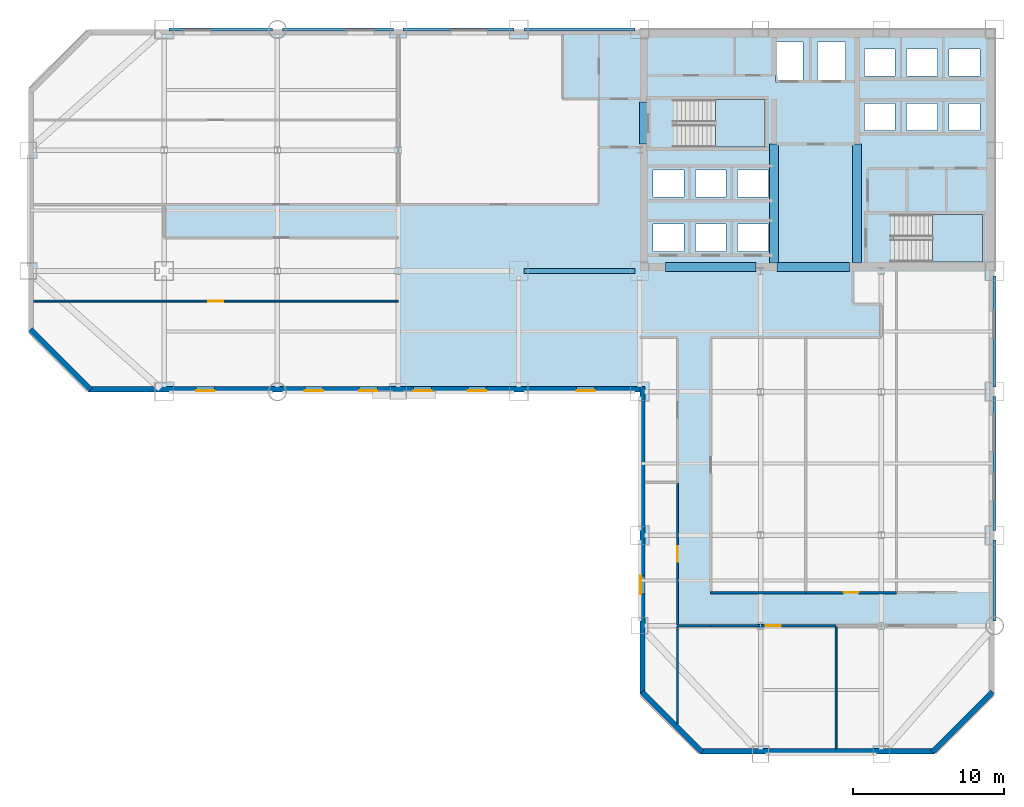
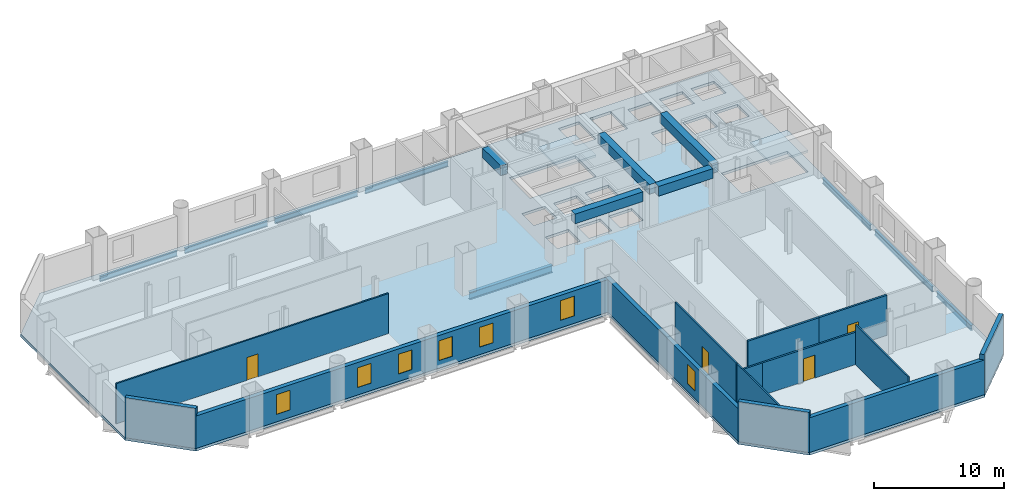
# One storey, part 4 of 9: 14 walls, 13 beams, 7 windows, 4 doors, 3 slabs, 11 openings, 2 elements without a shape of their own.
"""IFC4 building model written with IfcOpenShell, lengths in metres."""

from ifc_helpers import new_model, si_unit, direction, frame, frame_2d, origin, origin_2d, place, context, subcontext, project, spatial, polyline, rectangle, i_section, outline, extrude, material, layer, layer_set, material_profile, profile_set, type_object, element, fill, aggregate, save


model = new_model("IFC4")

# Units and contexts
model_context = context("Model", 3, precision=1e-05, world=origin(), true_north=direction((0.0, 1.0)))
body_context = subcontext(model_context, "Body", "Model", "MODEL_VIEW")
ifc_project = project(units=[si_unit("LENGTHUNIT", "METRE"), si_unit("AREAUNIT", "SQUARE_METRE"), si_unit("VOLUMEUNIT", "CUBIC_METRE"), si_unit("PLANEANGLEUNIT", "RADIAN"), si_unit("MASSUNIT", "GRAM", prefix="KILO")], contexts=[model_context])

# Site, building, storey
site_placement = place(None, origin())
site = spatial("IfcSite", under=ifc_project, at=site_placement, CompositionType="ELEMENT")
building_placement = place(site_placement, origin())
building = spatial("IfcBuilding", under=site, at=building_placement, Name="Qianrong Seaharbour Tower", CompositionType="ELEMENT")
storey_placement = place(building_placement, frame((0.0, 0.0, 76.199951171875)))
storey = spatial("IfcBuildingStorey", under=building, at=storey_placement, Name="L18", CompositionType="ELEMENT", Elevation=76.199951171875)

# Beams
ifc_material_1 = material(Name="Structural steel SN490B", Category="steel")
ifc_material_profile_1 = material_profile(ifc_material_1, i_section(OverallWidth=0.300048828125, OverallDepth=0.699951171875, WebThickness=0.012939453125, FlangeThickness=0.02392578125, FilletRadius=0.02587890625, at=origin_2d()), Name="H700x300x13x24")
ifc_profile_set_1 = profile_set([ifc_material_profile_1], Name="Structural steel SN490B")
beam_type_1 = type_object("IfcBeamType", Name="BM-G-700", PredefinedType="BEAM", material=ifc_profile_set_1)
beam_1_placement = place(storey_placement, frame((32.820068359375, 36.0, -0.599853515625), z_axis=(1.0, 0.0, 0.0), x_axis=(0.0, 1.0, 0.0)))
element("IfcBeam", 1, at=beam_1_placement, inside=storey, type_object=beam_type_1, Name="L18 Primary Girder GF G5-G6", PredefinedType="BEAM", context=body_context, shape_type="SweptSolid", body=[
    extrude(i_section(OverallWidth=0.300048828125, OverallDepth=0.699951171875, WebThickness=0.012939453125, FlangeThickness=0.02392578125, FilletRadius=0.02587890625, at=origin_2d()), origin(), (0.0, 0.0, 1.0), 7.35986328125),
])
ifc_material_2 = material(Name="Concrete C70/85", Category="concrete")
ifc_material_profile_2 = material_profile(ifc_material_2, rectangle(XDim=0.60009765625, YDim=0.89990234375, at=origin_2d()), Name="RC600x900")
ifc_profile_set_2 = profile_set([ifc_material_profile_2], Name="Concrete C70/85")
beam_type_2 = type_object("IfcBeamType", Name="BM-LINTEL-900", PredefinedType="LINTEL", material=ifc_profile_set_2)
beam_2_placement = place(storey_placement, frame((40.77001953125, 44.39990234375, 3.300048828125), z_axis=(0.0, 1.0, 0.0), x_axis=(-1.0, 0.0, 0.0)))
element("IfcBeam", 2, at=beam_2_placement, inside=storey, type_object=beam_type_2, Name="L18 Core Coupling Lintel Beam West", PredefinedType="LINTEL", context=body_context, shape_type="SweptSolid", body=[
    extrude(rectangle(XDim=0.60009765625, YDim=0.89990234375, at=origin_2d()), origin(), (0.0, 0.0, 1.0), 2.800048828125),
])
beam_3_placement = place(storey_placement, frame((42.199951171875, 36.27001953125, 3.300048828125), z_axis=(1.0, 0.0, 0.0), x_axis=(0.0, 1.0, 0.0)))
element("IfcBeam", 3, at=beam_3_placement, inside=storey, type_object=beam_type_2, Name="L18 Core Coupling Lintel Beam CBW", PredefinedType="LINTEL", context=body_context, shape_type="SweptSolid", body=[
    extrude(rectangle(XDim=0.60009765625, YDim=0.89990234375, at=origin_2d()), origin(), (0.0, 0.0, 1.0), 6.0),
])
beam_4_placement = place(storey_placement, frame((49.60009765625, 36.27001953125, 3.300048828125), z_axis=(1.0, 0.0, 0.0), x_axis=(0.0, 1.0, 0.0)))
element("IfcBeam", 4, at=beam_4_placement, inside=storey, type_object=beam_type_2, Name="L18 Core Coupling Lintel Beam CBC", PredefinedType="LINTEL", context=body_context, shape_type="SweptSolid", body=[
    extrude(rectangle(XDim=0.60009765625, YDim=0.89990234375, at=origin_2d()), origin(), (0.0, 0.0, 1.0), 4.7998046875),
])
for number, where, z_axis, x_axis, name in (
    (5, (49.39990234375, 36.5400390625, 3.300048828125), (0.0, 1.0, 0.0), (-1.0, 0.0, 0.0), "L18 Internal Core Coupling Beam IW1"),
    (6, (54.89990234375, 36.5400390625, 3.300048828125), (0.0, 1.0, 0.0), (-1.0, 0.0, 0.0), "L18 Internal Core Coupling Beam IW2"),
):
    element("IfcBeam", number, at=place(storey_placement, frame(where, z_axis=z_axis, x_axis=x_axis)), inside=storey, type_object=beam_type_2, Name=name, PredefinedType="LINTEL", context=body_context, shape_type="SweptSolid", body=[
        extrude(rectangle(XDim=0.60009765625, YDim=0.89990234375, at=origin_2d()), origin(), (0.0, 0.0, 1.0), 7.85986328125),
    ])
ifc_material_profile_3 = material_profile(ifc_material_1, i_section(OverallWidth=0.199951171875, OverallDepth=0.5, WebThickness=0.010009765625, FlangeThickness=0.01611328125, FilletRadius=0.02001953125, at=origin_2d()), Name="H500x200x10x16")
ifc_profile_set_3 = profile_set([ifc_material_profile_3], Name="Structural steel SN490B")
beam_type_3 = type_object("IfcBeamType", Name="BM-SP-500", PredefinedType="SPANDREL", material=ifc_profile_set_3)
beam_5_placement = place(storey_placement, frame((9.320068359375, 52.0, -0.5), z_axis=(1.0, 0.0, 0.0), x_axis=(0.0, 1.0, 0.0)))
element("IfcBeam", 7, at=beam_5_placement, inside=storey, type_object=beam_type_3, Name="L18 Spandrel Girder GH G2-G3", PredefinedType="SPANDREL", context=body_context, shape_type="SweptSolid", body=[
    extrude(i_section(OverallWidth=0.199951171875, OverallDepth=0.5, WebThickness=0.010009765625, FlangeThickness=0.01611328125, FilletRadius=0.02001953125, at=origin_2d()), origin(), (0.0, 0.0, 1.0), 6.85986328125),
])
for number, where, z_axis, x_axis, name in (
    (8, (16.820068359375, 52.0, -0.5), (1.0, 0.0, 0.0), (0.0, 1.0, 0.0), "L18 Spandrel Girder GH G3-G4"),
    (9, (24.820068359375, 52.0, -0.5), (1.0, 0.0, 0.0), (0.0, 1.0, 0.0), "L18 Spandrel Girder GH G4-G5"),
    (10, (32.820068359375, 52.0, -0.5), (1.0, 0.0, 0.0), (0.0, 1.0, 0.0), "L18 Spandrel Girder GH G5-G6"),
):
    element("IfcBeam", number, at=place(storey_placement, frame(where, z_axis=z_axis, x_axis=x_axis)), inside=storey, type_object=beam_type_3, Name=name, PredefinedType="SPANDREL", context=body_context, shape_type="SweptSolid", body=[
        extrude(i_section(OverallWidth=0.199951171875, OverallDepth=0.5, WebThickness=0.010009765625, FlangeThickness=0.01611328125, FilletRadius=0.02001953125, at=origin_2d()), origin(), (0.0, 0.0, 1.0), 7.35986328125),
    ])
beam_6_placement = place(storey_placement, frame((64.0, 12.820068359375, -0.5), z_axis=(0.0, 1.0, 0.0), x_axis=(-1.0, 0.0, 0.0)))
element("IfcBeam", 11, at=beam_6_placement, inside=storey, type_object=beam_type_3, Name="L18 Spandrel Girder G9 GC-GD", PredefinedType="SPANDREL", context=body_context, shape_type="SweptSolid", body=[
    extrude(i_section(OverallWidth=0.199951171875, OverallDepth=0.5, WebThickness=0.010009765625, FlangeThickness=0.01611328125, FilletRadius=0.02001953125, at=origin_2d()), origin(), (0.0, 0.0, 1.0), 5.35986328125),
])
beam_7_placement = place(storey_placement, frame((64.0, 18.820068359375, -0.5), z_axis=(0.0, 1.0, 0.0), x_axis=(-1.0, 0.0, 0.0)))
element("IfcBeam", 12, at=beam_7_placement, inside=storey, type_object=beam_type_3, Name="L18 Spandrel Girder G9 GD-GE", PredefinedType="SPANDREL", context=body_context, shape_type="SweptSolid", body=[
    extrude(i_section(OverallWidth=0.199951171875, OverallDepth=0.5, WebThickness=0.010009765625, FlangeThickness=0.01611328125, FilletRadius=0.02001953125, at=origin_2d()), origin(), (0.0, 0.0, 1.0), 8.85986328125),
])
beam_8_placement = place(storey_placement, frame((64.0, 28.320068359375, -0.5), z_axis=(0.0, 1.0, 0.0), x_axis=(-1.0, 0.0, 0.0)))
element("IfcBeam", 13, at=beam_8_placement, inside=storey, type_object=beam_type_3, Name="L18 Spandrel Girder G9 GE-GF", PredefinedType="SPANDREL", context=body_context, shape_type="SweptSolid", body=[
    extrude(i_section(OverallWidth=0.199951171875, OverallDepth=0.5, WebThickness=0.010009765625, FlangeThickness=0.01611328125, FilletRadius=0.02001953125, at=origin_2d()), origin(), (0.0, 0.0, 1.0), 7.35986328125),
])

# Stair, slab
ifc_material_3 = material(Name="Concrete C50/60", Category="concrete")
stair_type = type_object("IfcStairType", Name="STAIR-DOGLEG-1500-R22", PredefinedType="HALF_TURN_STAIR", material=ifc_material_3)
stair_1_placement = place(storey_placement, origin())
stair_1 = element("IfcStair", 14, at=stair_1_placement, inside=storey, type_object=stair_type, Name="L18 Protected Escape Stair ST-1", PredefinedType="HALF_TURN_STAIR")
ifc_layer_1 = layer(ifc_material_3, 0.199951171875)
ifc_layer_set_1 = layer_set([ifc_layer_1], Name="Concrete C50/60")
slab_type_1 = type_object("IfcSlabType", Name="SLAB-STAIR-LANDING-200", PredefinedType="LANDING", material=ifc_layer_set_1)
slab_1_placement = place(storey_placement, frame((0.0, 0.0, 1.800048828125)))
slab_1 = element("IfcSlab", 15, at=slab_1_placement, type_object=slab_type_1, Name="ST-1 landing 1", PredefinedType="LANDING", context=body_context, shape_type="SweptSolid", body=[
    extrude(outline(polyline([(45.5, 44.199951171875), (48.800048828125, 44.199951171875), (48.800048828125, 47.35009765625), (45.5, 47.35009765625), (45.5, 44.199951171875)])), origin(), (0.0, 0.0, 1.0), 0.199951171875),
])
aggregate(stair_1, [slab_1])

stair_2_placement = place(storey_placement, origin())
stair_2 = element("IfcStair", 16, at=stair_2_placement, inside=storey, type_object=stair_type, Name="L18 Protected Escape Stair ST-2", PredefinedType="HALF_TURN_STAIR")
slab_2_placement = place(storey_placement, frame((0.0, 0.0, 1.800048828125)))
slab_2 = element("IfcSlab", 17, at=slab_2_placement, type_object=slab_type_1, Name="ST-2 landing 1", PredefinedType="LANDING", context=body_context, shape_type="SweptSolid", body=[
    extrude(outline(polyline([(59.89990234375, 36.60009765625), (63.199951171875, 36.60009765625), (63.199951171875, 39.75), (59.89990234375, 39.75), (59.89990234375, 36.60009765625)])), origin(), (0.0, 0.0, 1.0), 0.199951171875),
])
aggregate(stair_2, [slab_2])

# Slab
ifc_layer_2 = layer(ifc_material_3, 0.25)
ifc_layer_set_2 = layer_set([ifc_layer_2], Name="Concrete C50/60")
slab_type_2 = type_object("IfcSlabType", Name="SLAB-Z1-250", PredefinedType="FLOOR", material=ifc_layer_set_2)
slab_3_placement = place(storey_placement, frame((0.0, 0.0, -0.25)))
element("IfcSlab", 18, at=slab_3_placement, inside=storey, type_object=slab_type_2, Name="L18 Structural Floor Slab", PredefinedType="FLOOR", context=body_context, shape_type="SweptSolid", body=[
    extrude(outline(polyline([(44.5, 4.0), (60.0, 4.0), (64.0, 8.0), (64.0, 52.0), (4.0, 52.0), (0.0, 48.0), (0.0, 32.0), (4.0, 28.0), (40.5, 28.0), (40.5, 8.0), (44.5, 4.0)]), holes=[polyline([(42.93994140625, 44.199951171875), (42.93994140625, 47.35009765625), (48.800048828125, 47.35009765625), (48.800048828125, 44.199951171875), (42.93994140625, 44.199951171875)]), polyline([(57.340087890625, 36.60009765625), (57.340087890625, 39.75), (63.199951171875, 39.75), (63.199951171875, 36.60009765625), (57.340087890625, 36.60009765625)]), polyline([(49.47998046875, 48.530029296875), (49.47998046875, 51.169921875), (51.320068359375, 51.169921875), (51.320068359375, 48.530029296875), (49.47998046875, 48.530029296875)]), polyline([(52.280029296875, 48.530029296875), (52.280029296875, 51.169921875), (54.1201171875, 51.169921875), (54.1201171875, 48.530029296875), (52.280029296875, 48.530029296875)]), polyline([(41.3798828125, 37.300048828125), (41.3798828125, 39.10009765625), (43.419921875, 39.10009765625), (43.419921875, 37.300048828125), (41.3798828125, 37.300048828125)]), polyline([(44.179931640625, 37.300048828125), (44.179931640625, 39.10009765625), (46.219970703125, 39.10009765625), (46.219970703125, 37.300048828125), (44.179931640625, 37.300048828125)]), polyline([(46.97998046875, 37.300048828125), (46.97998046875, 39.10009765625), (49.02001953125, 39.10009765625), (49.02001953125, 37.300048828125), (46.97998046875, 37.300048828125)]), polyline([(41.3798828125, 40.89990234375), (41.3798828125, 42.699951171875), (43.419921875, 42.699951171875), (43.419921875, 40.89990234375), (41.3798828125, 40.89990234375)]), polyline([(44.179931640625, 40.89990234375), (44.179931640625, 42.699951171875), (46.219970703125, 42.699951171875), (46.219970703125, 40.89990234375), (44.179931640625, 40.89990234375)]), polyline([(46.97998046875, 40.89990234375), (46.97998046875, 42.699951171875), (49.02001953125, 42.699951171875), (49.02001953125, 40.89990234375), (46.97998046875, 40.89990234375)]), polyline([(55.3798828125, 45.300048828125), (55.3798828125, 47.10009765625), (57.419921875, 47.10009765625), (57.419921875, 45.300048828125), (55.3798828125, 45.300048828125)]), polyline([(58.179931640625, 45.300048828125), (58.179931640625, 47.10009765625), (60.219970703125, 47.10009765625), (60.219970703125, 45.300048828125), (58.179931640625, 45.300048828125)]), polyline([(60.97998046875, 45.300048828125), (60.97998046875, 47.10009765625), (63.02001953125, 47.10009765625), (63.02001953125, 45.300048828125), (60.97998046875, 45.300048828125)]), polyline([(55.3798828125, 48.89990234375), (55.3798828125, 50.699951171875), (57.419921875, 50.699951171875), (57.419921875, 48.89990234375), (55.3798828125, 48.89990234375)]), polyline([(58.179931640625, 48.89990234375), (58.179931640625, 50.699951171875), (60.219970703125, 50.699951171875), (60.219970703125, 48.89990234375), (58.179931640625, 48.89990234375)]), polyline([(60.97998046875, 48.89990234375), (60.97998046875, 50.699951171875), (63.02001953125, 50.699951171875), (63.02001953125, 48.89990234375), (60.97998046875, 48.89990234375)])]), origin(), (0.0, 0.0, 1.0), 0.25),
])

# Walls
ifc_material_4 = material(Name="Fire-rated acoustic gypsum board partition")
ifc_layer_3 = layer(ifc_material_4, 0.1650390625)
ifc_layer_set_3 = layer_set([ifc_layer_3], Name="Fire-rated acoustic gypsum board partition")
wall_type_1 = type_object("IfcWallType", Name="WALL-CORR-PART-165", PredefinedType="PARTITIONING", material=ifc_layer_set_3)
wall_1_placement = place(storey_placement, frame((45.199951171875, 12.5, 0.0), z_axis=(0.0, 0.0, 1.0), x_axis=(-1.0, 0.0, 0.0)))
element("IfcWall", 19, at=wall_1_placement, inside=storey, type_object=wall_type_1, Name="L18 Interior Partition Wall 031", PredefinedType="PARTITIONING", context=body_context, shape_type="SweptSolid", body=[
    extrude(rectangle(XDim=2.199951171875, YDim=0.1650390625, at=frame_2d((1.10009765625, 0.0))), origin(), (0.0, 0.0, 1.0), 3.0419921875),
])
wall_2_placement = place(storey_placement, frame((45.199951171875, 14.699951171875, 0.0), z_axis=(0.0, 0.0, 1.0), x_axis=(1.0, 0.0, 0.0)))
element("IfcWall", 20, at=wall_2_placement, inside=storey, type_object=wall_type_1, Name="L18 Interior Partition Wall 032", PredefinedType="PARTITIONING", context=body_context, shape_type="SweptSolid", body=[
    extrude(rectangle(XDim=6.300048828125, YDim=0.1650390625, at=frame_2d((3.14990234375, 0.0))), origin(), (0.0, 0.0, 1.0), 3.75),
])

# Wall, opening, door
wall_3_placement = place(storey_placement, frame((51.5, 14.699951171875, 0.0), z_axis=(0.0, 0.0, 1.0), x_axis=(1.0, 0.0, 0.0)))
wall_3 = element("IfcWall", 21, at=wall_3_placement, inside=storey, type_object=wall_type_1, Name="L18 Interior Partition Wall 033", PredefinedType="PARTITIONING", context=body_context, shape_type="SweptSolid", body=[
    extrude(rectangle(XDim=6.0, YDim=0.1650390625, at=frame_2d((3.0, 0.0))), origin(), (0.0, 0.0, 1.0), 3.75),
])
opening_1_placement = place(wall_3_placement, frame((2.5, 0.0, 0.0)))
opening_1 = element("IfcOpeningElement", 22, at=opening_1_placement, cuts=wall_3, Name="Opening DO-01", PredefinedType="OPENING", context=body_context, shape_type="SweptSolid", body=[
    extrude(rectangle(XDim=1.0, YDim=2.14990234375, at=frame_2d((0.5, 1.074951171875))), frame((0.0, 0.092529296875, 0.0), z_axis=(0.0, -1.0, 0.0), x_axis=(1.0, 0.0, 0.0)), (0.0, 0.0, 1.0), 0.18505859375),
])
ifc_material_5 = material(Name="Acoustic timber and galvanized steel fire door assembly", Category="steel")
door_type = type_object("IfcDoorType", Name="DOOR-OFFICE-1000x2150", OperationType="NOTDEFINED", PredefinedType="DOOR", material=ifc_material_5)
door_1_placement = place(opening_1_placement, origin())
door_1 = element("IfcDoor", 23, at=door_1_placement, inside=storey, type_object=door_type, Name="L18 Catering Servery Kitchen 2 Door", OperationType="SINGLE_SWING_RIGHT", OverallHeight=2.14990234375, OverallWidth=1.0, PredefinedType="DOOR", context=body_context, shape_type="SweptSolid", body=[
    extrude(rectangle(XDim=1.0, YDim=2.14990234375, at=frame_2d((0.5, 1.074951171875))), frame((0.0, 0.02490234375, 0.0), z_axis=(0.0, -1.0, 0.0), x_axis=(1.0, 0.0, 0.0)), (0.0, 0.0, 1.0), 0.050048828125),
])
fill(opening_1, door_1)

wall_4_placement = place(storey_placement, frame((53.5, 12.5, 0.0), z_axis=(0.0, 0.0, 1.0), x_axis=(-1.0, 0.0, 0.0)))
wall_4 = element("IfcWall", 24, at=wall_4_placement, inside=storey, type_object=wall_type_1, Name="L18 Interior Partition Wall 035", PredefinedType="PARTITIONING", context=body_context, shape_type="SweptSolid", body=[
    extrude(rectangle(XDim=8.300048828125, YDim=0.1650390625, at=frame_2d((4.14990234375, 0.0))), origin(), (0.0, 0.0, 1.0), 3.0419921875),
])
opening_2_placement = place(wall_4_placement, frame((3.64990234375, 0.0, 0.0)))
opening_2 = element("IfcOpeningElement", 25, at=opening_2_placement, cuts=wall_4, Name="Opening DO-01", PredefinedType="OPENING", context=body_context, shape_type="SweptSolid", body=[
    extrude(rectangle(XDim=1.0, YDim=2.14990234375, at=frame_2d((0.5, 1.074951171875))), frame((0.0, 0.092529296875, 0.0), z_axis=(0.0, -1.0, 0.0), x_axis=(1.0, 0.0, 0.0)), (0.0, 0.0, 1.0), 0.18505859375),
])
door_2_placement = place(opening_2_placement, origin())
door_2 = element("IfcDoor", 26, at=door_2_placement, inside=storey, type_object=door_type, Name="L18 South View Lounge 1 Door", OperationType="SINGLE_SWING_RIGHT", OverallHeight=2.14990234375, OverallWidth=1.0, PredefinedType="DOOR", context=body_context, shape_type="SweptSolid", body=[
    extrude(rectangle(XDim=1.0, YDim=2.14990234375, at=frame_2d((0.5, 1.074951171875))), frame((0.0, 0.02490234375, 0.0), z_axis=(0.0, -1.0, 0.0), x_axis=(1.0, 0.0, 0.0)), (0.0, 0.0, 1.0), 0.050048828125),
])
fill(opening_2, door_2)

# Wall, opening, window
ifc_material_6 = material(Name="Unitised red brick on Precast concrete C45/55", Category="masonry")
ifc_layer_4 = layer(ifc_material_6, 0.360107421875)
ifc_layer_set_4 = layer_set([ifc_layer_4], Name="Unitised red brick on Precast concrete C45/55")
wall_type_2 = type_object("IfcWallType", Name="WALL-EXT-BRICK-RED-360", PredefinedType="SOLIDWALL", material=ifc_layer_set_4)
wall_5_placement = place(storey_placement, frame((40.679931640625, 8.0, 0.0), z_axis=(0.0, 0.0, 1.0), x_axis=(0.0, 1.0, 0.0)))
wall_5 = element("IfcWall", 27, at=wall_5_placement, inside=storey, type_object=wall_type_2, Name="L18 Exterior Masonry Facade Wall REENTRANT_WEST", PredefinedType="SOLIDWALL", context=body_context, shape_type="SweptSolid", body=[
    extrude(rectangle(XDim=20.360107421875, YDim=0.360107421875, at=frame_2d((10.18017578125, 0.0))), origin(), (0.0, 0.0, 1.0), 3.050048828125),
])
opening_3_placement = place(wall_5_placement, frame((6.60009765625, 0.0, 0.699951171875)))
opening_3 = element("IfcOpeningElement", 28, at=opening_3_placement, cuts=wall_5, Name="Opening WN-01", PredefinedType="OPENING", context=body_context, shape_type="SweptSolid", body=[
    extrude(rectangle(XDim=1.199951171875, YDim=1.85009765625, at=frame_2d((0.60009765625, 0.925048828125))), frame((0.0, 0.18994140625, 0.0), z_axis=(0.0, -1.0, 0.0), x_axis=(1.0, 0.0, 0.0)), (0.0, 0.0, 1.0), 0.380126953125),
])
ifc_material_7 = material(Name="Insulated low-e double glazing in thermally broken aluminium 6063-T6 frame", Category="aluminium")
window_type = type_object("IfcWindowType", Name="WIN-PUNCH-1200x1850", PartitioningType="DOUBLE_PANEL_VERTICAL", PredefinedType="WINDOW", material=ifc_material_7)
window_1_placement = place(opening_3_placement, origin())
window_1 = element("IfcWindow", 29, at=window_1_placement, inside=storey, type_object=window_type, Name="L18 Deep-Set Punched Window 00.02", OverallHeight=1.85009765625, OverallWidth=1.199951171875, PartitioningType="DOUBLE_PANEL_VERTICAL", PredefinedType="WINDOW", context=body_context, shape_type="SweptSolid", body=[
    extrude(rectangle(XDim=1.199951171875, YDim=1.85009765625, at=frame_2d((0.60009765625, 0.925048828125))), frame((0.0, 0.150146484375, 0.0), z_axis=(0.0, -1.0, 0.0), x_axis=(1.0, 0.0, 0.0)), (0.0, 0.0, 1.0), 0.06005859375),
])
fill(opening_3, window_1)

# Wall, openings, windows
wall_6_placement = place(storey_placement, frame((40.52001953125, 28.179931640625, 0.0), z_axis=(0.0, 0.0, 1.0), x_axis=(-1.0, 0.0, 0.0)))
wall_6 = element("IfcWall", 30, at=wall_6_placement, inside=storey, type_object=wall_type_2, Name="L18 Exterior Masonry Facade Wall HARBOUR_RIBBON", PredefinedType="SOLIDWALL", context=body_context, shape_type="SweptSolid", body=[
    extrude(rectangle(XDim=36.52001953125, YDim=0.360107421875, at=frame_2d((18.260009765625, 0.0))), origin(), (0.0, 0.0, 1.0), 3.050048828125),
])
opening_4_placement = place(wall_6_placement, frame((3.0, 0.0, 0.699951171875)))
opening_4 = element("IfcOpeningElement", 31, at=opening_4_placement, cuts=wall_6, Name="Opening WN-01", PredefinedType="OPENING", context=body_context, shape_type="SweptSolid", body=[
    extrude(rectangle(XDim=1.199951171875, YDim=1.85009765625, at=frame_2d((0.60009765625, 0.925048828125))), frame((0.0, 0.18994140625, 0.0), z_axis=(0.0, -1.0, 0.0), x_axis=(1.0, 0.0, 0.0)), (0.0, 0.0, 1.0), 0.380126953125),
])
opening_5_placement = place(wall_6_placement, frame((10.199951171875, 0.0, 0.699951171875)))
opening_5 = element("IfcOpeningElement", 32, at=opening_5_placement, cuts=wall_6, Name="Opening WN-01", PredefinedType="OPENING", context=body_context, shape_type="SweptSolid", body=[
    extrude(rectangle(XDim=1.199951171875, YDim=1.85009765625, at=frame_2d((0.60009765625, 0.925048828125))), frame((0.0, 0.18994140625, 0.0), z_axis=(0.0, -1.0, 0.0), x_axis=(1.0, 0.0, 0.0)), (0.0, 0.0, 1.0), 0.380126953125),
])
opening_6_placement = place(wall_6_placement, frame((13.800048828125, 0.0, 0.699951171875)))
opening_6 = element("IfcOpeningElement", 33, at=opening_6_placement, cuts=wall_6, Name="Opening WN-01", PredefinedType="OPENING", context=body_context, shape_type="SweptSolid", body=[
    extrude(rectangle(XDim=1.199951171875, YDim=1.85009765625, at=frame_2d((0.60009765625, 0.925048828125))), frame((0.0, 0.18994140625, 0.0), z_axis=(0.0, -1.0, 0.0), x_axis=(1.0, 0.0, 0.0)), (0.0, 0.0, 1.0), 0.380126953125),
])
opening_7_placement = place(wall_6_placement, frame((17.39990234375, 0.0, 0.699951171875)))
opening_7 = element("IfcOpeningElement", 34, at=opening_7_placement, cuts=wall_6, Name="Opening WN-01", PredefinedType="OPENING", context=body_context, shape_type="SweptSolid", body=[
    extrude(rectangle(XDim=1.199951171875, YDim=1.85009765625, at=frame_2d((0.60009765625, 0.925048828125))), frame((0.0, 0.18994140625, 0.0), z_axis=(0.0, -1.0, 0.0), x_axis=(1.0, 0.0, 0.0)), (0.0, 0.0, 1.0), 0.380126953125),
])
opening_8_placement = place(wall_6_placement, frame((21.0, 0.0, 0.699951171875)))
opening_8 = element("IfcOpeningElement", 35, at=opening_8_placement, cuts=wall_6, Name="Opening WN-01", PredefinedType="OPENING", context=body_context, shape_type="SweptSolid", body=[
    extrude(rectangle(XDim=1.199951171875, YDim=1.85009765625, at=frame_2d((0.60009765625, 0.925048828125))), frame((0.0, 0.18994140625, 0.0), z_axis=(0.0, -1.0, 0.0), x_axis=(1.0, 0.0, 0.0)), (0.0, 0.0, 1.0), 0.380126953125),
])
opening_9_placement = place(wall_6_placement, frame((28.199951171875, 0.0, 0.699951171875)))
opening_9 = element("IfcOpeningElement", 36, at=opening_9_placement, cuts=wall_6, Name="Opening WN-01", PredefinedType="OPENING", context=body_context, shape_type="SweptSolid", body=[
    extrude(rectangle(XDim=1.199951171875, YDim=1.85009765625, at=frame_2d((0.60009765625, 0.925048828125))), frame((0.0, 0.18994140625, 0.0), z_axis=(0.0, -1.0, 0.0), x_axis=(1.0, 0.0, 0.0)), (0.0, 0.0, 1.0), 0.380126953125),
])
window_2_placement = place(opening_4_placement, origin())
window_2 = element("IfcWindow", 37, at=window_2_placement, inside=storey, type_object=window_type, Name="L18 Deep-Set Punched Window 01.01", OverallHeight=1.85009765625, OverallWidth=1.199951171875, PartitioningType="DOUBLE_PANEL_VERTICAL", PredefinedType="WINDOW", context=body_context, shape_type="SweptSolid", body=[
    extrude(rectangle(XDim=1.199951171875, YDim=1.85009765625, at=frame_2d((0.60009765625, 0.925048828125))), frame((0.0, 0.150146484375, 0.0), z_axis=(0.0, -1.0, 0.0), x_axis=(1.0, 0.0, 0.0)), (0.0, 0.0, 1.0), 0.06005859375),
])
fill(opening_4, window_2)
window_3_placement = place(opening_5_placement, origin())
window_3 = element("IfcWindow", 38, at=window_3_placement, inside=storey, type_object=window_type, Name="L18 Deep-Set Punched Window 01.03", OverallHeight=1.85009765625, OverallWidth=1.199951171875, PartitioningType="DOUBLE_PANEL_VERTICAL", PredefinedType="WINDOW", context=body_context, shape_type="SweptSolid", body=[
    extrude(rectangle(XDim=1.199951171875, YDim=1.85009765625, at=frame_2d((0.60009765625, 0.925048828125))), frame((0.0, 0.150146484375, 0.0), z_axis=(0.0, -1.0, 0.0), x_axis=(1.0, 0.0, 0.0)), (0.0, 0.0, 1.0), 0.06005859375),
])
fill(opening_5, window_3)
window_4_placement = place(opening_6_placement, origin())
window_4 = element("IfcWindow", 39, at=window_4_placement, inside=storey, type_object=window_type, Name="L18 Deep-Set Punched Window 01.04", OverallHeight=1.85009765625, OverallWidth=1.199951171875, PartitioningType="DOUBLE_PANEL_VERTICAL", PredefinedType="WINDOW", context=body_context, shape_type="SweptSolid", body=[
    extrude(rectangle(XDim=1.199951171875, YDim=1.85009765625, at=frame_2d((0.60009765625, 0.925048828125))), frame((0.0, 0.150146484375, 0.0), z_axis=(0.0, -1.0, 0.0), x_axis=(1.0, 0.0, 0.0)), (0.0, 0.0, 1.0), 0.06005859375),
])
fill(opening_6, window_4)
window_5_placement = place(opening_7_placement, origin())
window_5 = element("IfcWindow", 40, at=window_5_placement, inside=storey, type_object=window_type, Name="L18 Deep-Set Punched Window 01.05", OverallHeight=1.85009765625, OverallWidth=1.199951171875, PartitioningType="DOUBLE_PANEL_VERTICAL", PredefinedType="WINDOW", context=body_context, shape_type="SweptSolid", body=[
    extrude(rectangle(XDim=1.199951171875, YDim=1.85009765625, at=frame_2d((0.60009765625, 0.925048828125))), frame((0.0, 0.150146484375, 0.0), z_axis=(0.0, -1.0, 0.0), x_axis=(1.0, 0.0, 0.0)), (0.0, 0.0, 1.0), 0.06005859375),
])
fill(opening_7, window_5)
window_6_placement = place(opening_8_placement, origin())
window_6 = element("IfcWindow", 41, at=window_6_placement, inside=storey, type_object=window_type, Name="L18 Deep-Set Punched Window 01.06", OverallHeight=1.85009765625, OverallWidth=1.199951171875, PartitioningType="DOUBLE_PANEL_VERTICAL", PredefinedType="WINDOW", context=body_context, shape_type="SweptSolid", body=[
    extrude(rectangle(XDim=1.199951171875, YDim=1.85009765625, at=frame_2d((0.60009765625, 0.925048828125))), frame((0.0, 0.150146484375, 0.0), z_axis=(0.0, -1.0, 0.0), x_axis=(1.0, 0.0, 0.0)), (0.0, 0.0, 1.0), 0.06005859375),
])
fill(opening_8, window_6)
window_7_placement = place(opening_9_placement, origin())
window_7 = element("IfcWindow", 42, at=window_7_placement, inside=storey, type_object=window_type, Name="L18 Deep-Set Punched Window 01.08", OverallHeight=1.85009765625, OverallWidth=1.199951171875, PartitioningType="DOUBLE_PANEL_VERTICAL", PredefinedType="WINDOW", context=body_context, shape_type="SweptSolid", body=[
    extrude(rectangle(XDim=1.199951171875, YDim=1.85009765625, at=frame_2d((0.60009765625, 0.925048828125))), frame((0.0, 0.150146484375, 0.0), z_axis=(0.0, -1.0, 0.0), x_axis=(1.0, 0.0, 0.0)), (0.0, 0.0, 1.0), 0.06005859375),
])
fill(opening_9, window_7)

# Walls
for number, where, z_axis, x_axis, name in (
    (43, (4.127197265625, 28.127197265625, 0.0), (0.0, 0.0, 1.0), (-0.707106781187, 0.707106781187, 0.0), "L18 Exterior Masonry Facade Wall E02"),
    (44, (63.872802734375, 8.127197265625, 0.0), (0.0, 0.0, 1.0), (-0.707106781187, -0.707106781187, 0.0), "L18 Exterior Masonry Facade Wall E07"),
):
    element("IfcWall", number, at=place(storey_placement, frame(where, z_axis=z_axis, x_axis=x_axis)), inside=storey, type_object=wall_type_2, Name=name, PredefinedType="SOLIDWALL", context=body_context, shape_type="SweptSolid", body=[
        extrude(rectangle(XDim=5.65673828125, YDim=0.360107421875, at=frame_2d((2.828369140625, 0.0))), origin(), (0.0, 0.0, 1.0), 3.75),
    ])
wall_7_placement = place(storey_placement, frame((60.0, 4.179931640625, 0.0), z_axis=(0.0, 0.0, 1.0), x_axis=(-1.0, 0.0, 0.0)))
element("IfcWall", 45, at=wall_7_placement, inside=storey, type_object=wall_type_2, Name="L18 Exterior Masonry Facade Wall SOUTH_TIP", PredefinedType="SOLIDWALL", context=body_context, shape_type="SweptSolid", body=[
    extrude(rectangle(XDim=15.5, YDim=0.360107421875, at=frame_2d((7.75, 0.0))), origin(), (0.0, 0.0, 1.0), 3.25),
])
wall_8_placement = place(storey_placement, frame((44.627197265625, 4.127197265625, 0.0), z_axis=(0.0, 0.0, 1.0), x_axis=(-0.707106781187, 0.707106781187, 0.0)))
element("IfcWall", 46, at=wall_8_placement, inside=storey, type_object=wall_type_2, Name="L18 Exterior Masonry Facade Wall E09", PredefinedType="SOLIDWALL", context=body_context, shape_type="SweptSolid", body=[
    extrude(rectangle(XDim=5.65673828125, YDim=0.360107421875, at=frame_2d((2.828369140625, 0.0))), origin(), (0.0, 0.0, 1.0), 3.75),
])

# Wall, opening, door
ifc_material_8 = material(Name="Water-resistant cement board sanitary partition")
ifc_layer_5 = layer(ifc_material_8, 0.1298828125)
ifc_layer_set_5 = layer_set([ifc_layer_5], Name="Water-resistant cement board sanitary partition")
wall_type_3 = type_object("IfcWallType", Name="WALL-WET-PART-130", PredefinedType="PARTITIONING", material=ifc_layer_set_5)
wall_9_placement = place(storey_placement, frame((43.0, 12.574462890625, 0.0), z_axis=(0.0, 0.0, 1.0), x_axis=(0.0, 1.0, 0.0)))
wall_9 = element("IfcWall", 47, at=wall_9_placement, inside=storey, type_object=wall_type_3, Name="L18 Interior Partition Wall 029", PredefinedType="PARTITIONING", context=body_context, shape_type="SweptSolid", body=[
    extrude(rectangle(XDim=9.36865234375, YDim=0.1298828125, at=frame_2d((4.684326171875, 0.0))), origin(), (0.0, 0.0, 1.0), 3.75),
])
opening_10_placement = place(wall_9_placement, frame((4.18408203125, 0.0, 0.0)))
opening_10 = element("IfcOpeningElement", 48, at=opening_10_placement, cuts=wall_9, Name="Opening DO-01", PredefinedType="OPENING", context=body_context, shape_type="SweptSolid", body=[
    extrude(rectangle(XDim=1.0, YDim=2.14990234375, at=frame_2d((0.5, 1.074951171875))), frame((0.0, 0.074951171875, 0.0), z_axis=(0.0, -1.0, 0.0), x_axis=(1.0, 0.0, 0.0)), (0.0, 0.0, 1.0), 0.14990234375),
])
door_3_placement = place(opening_10_placement, origin())
door_3 = element("IfcDoor", 49, at=door_3_placement, inside=storey, type_object=door_type, Name="L18 Wet Pantry 1 Door", OperationType="SINGLE_SWING_RIGHT", OverallHeight=2.14990234375, OverallWidth=1.0, PredefinedType="DOOR", context=body_context, shape_type="SweptSolid", body=[
    extrude(rectangle(XDim=1.0, YDim=2.14990234375, at=frame_2d((0.5, 1.074951171875))), frame((0.0, 0.02490234375, 0.0), z_axis=(0.0, -1.0, 0.0), x_axis=(1.0, 0.0, 0.0)), (0.0, 0.0, 1.0), 0.050048828125),
])
fill(opening_10, door_3)

wall_10_placement = place(storey_placement, frame((0.35205078125, 34.0, 0.0), z_axis=(0.0, 0.0, 1.0), x_axis=(1.0, 0.0, 0.0)))
wall_10 = element("IfcWall", 50, at=wall_10_placement, inside=storey, type_object=wall_type_3, Name="L18 Interior Partition Wall 039", PredefinedType="PARTITIONING", context=body_context, shape_type="SweptSolid", body=[
    extrude(rectangle(XDim=24.14794921875, YDim=0.1298828125, at=frame_2d((12.073974609375, 0.0))), origin(), (0.0, 0.0, 1.0), 3.75),
])
opening_11_placement = place(wall_10_placement, frame((11.573974609375, 0.0, 0.0)))
opening_11 = element("IfcOpeningElement", 51, at=opening_11_placement, cuts=wall_10, Name="Opening DO-01", PredefinedType="OPENING", context=body_context, shape_type="SweptSolid", body=[
    extrude(rectangle(XDim=1.0, YDim=2.14990234375, at=frame_2d((0.5, 1.074951171875))), frame((0.0, 0.074951171875, 0.0), z_axis=(0.0, -1.0, 0.0), x_axis=(1.0, 0.0, 0.0)), (0.0, 0.0, 1.0), 0.14990234375),
])
door_4_placement = place(opening_11_placement, origin())
door_4 = element("IfcDoor", 52, at=door_4_placement, inside=storey, type_object=door_type, Name="L18 Harbour Sunset Lounge 1 Door", OperationType="SINGLE_SWING_LEFT", OverallHeight=2.14990234375, OverallWidth=1.0, PredefinedType="DOOR", context=body_context, shape_type="SweptSolid", body=[
    extrude(rectangle(XDim=1.0, YDim=2.14990234375, at=frame_2d((0.5, 1.074951171875))), frame((0.0, 0.02490234375, 0.0), z_axis=(0.0, -1.0, 0.0), x_axis=(1.0, 0.0, 0.0)), (0.0, 0.0, 1.0), 0.050048828125),
])
fill(opening_11, door_4)

# Walls
wall_11_placement = place(storey_placement, frame((43.0, 12.425537109375, 0.0), z_axis=(0.0, 0.0, 1.0), x_axis=(0.0, -1.0, 0.0)))
element("IfcWall", 53, at=wall_11_placement, inside=storey, type_object=wall_type_3, Name="L18 Interior Partition Wall 045", PredefinedType="PARTITIONING", context=body_context, shape_type="SweptSolid", body=[
    extrude(rectangle(XDim=6.427734375, YDim=0.1298828125, at=frame_2d((3.2138671875, 0.0))), origin(), (0.0, 0.0, 1.0), 3.75),
])
wall_12_placement = place(storey_placement, frame((53.5, 12.425537109375, 0.0), z_axis=(0.0, 0.0, 1.0), x_axis=(0.0, -1.0, 0.0)))
element("IfcWall", 54, at=wall_12_placement, inside=storey, type_object=wall_type_3, Name="L18 Interior Partition Wall 046", PredefinedType="PARTITIONING", context=body_context, shape_type="SweptSolid", body=[
    extrude(rectangle(XDim=8.073486328125, YDim=0.1298828125, at=frame_2d((4.03662109375, 0.0))), origin(), (0.0, 0.0, 1.0), 3.75),
])

save(model, "model.ifc")
